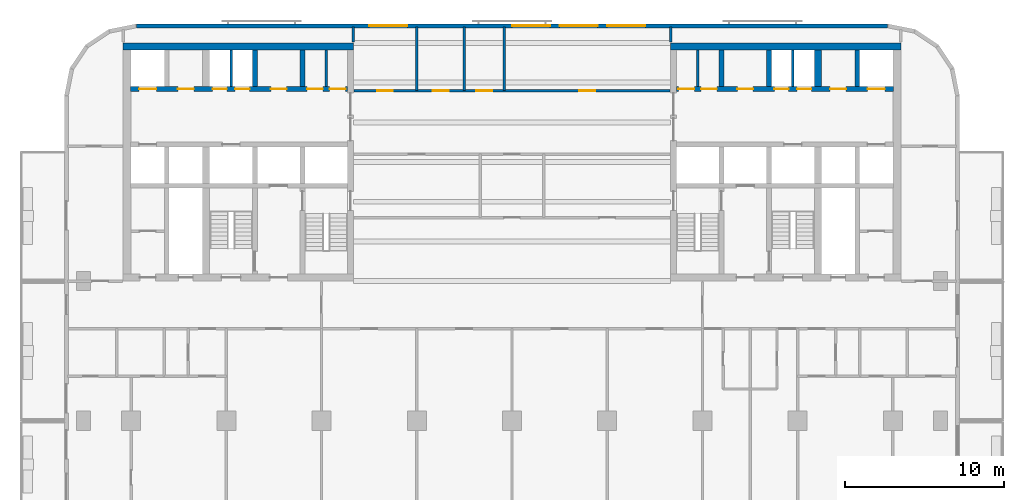
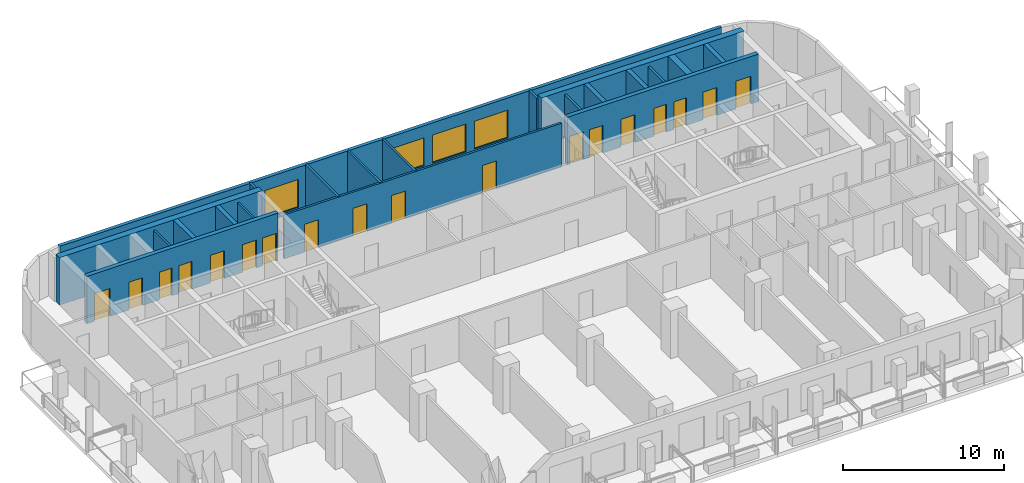
# One storey, part 7 of 12: 21 walls, 18 doors, 4 windows, 22 openings.
"""IFC4 building model written with IfcOpenShell, lengths in metres."""

import ifcopenshell
import ifcopenshell.guid

model = None  # the IFC model being written
_history = None  # IfcOwnerHistory: only IFC2X3 demands one
_inside = {}  # id of a spatial element -> (the spatial element, [elements in it])
_under = {}  # id of a project, library or spatial element -> (it, [spatial elements below it])
_declared = {}  # id of a project -> (the project, [libraries it declares])
_typed = {}  # id of a type object -> (the type object, [elements of that type])
_made_of = {}  # id of a material, layer set ... -> (it, [elements and type objects made of it])


def new_model(schema):
    """Start an empty IFC model of exactly this schema.

    Asked for "IFC4X3", IfcOpenShell would pick the latest addendum, in which some entities
    have other attributes; the version numbers below select the first issue.
    IFC2X3 requires an IfcOwnerHistory on every rooted entity: one is made here for all.
    """
    global model, _history
    if schema == "IFC4X3":
        model = ifcopenshell.file(schema_version=(4, 3, 0, 0))
    else:
        model = ifcopenshell.file(schema=schema)
    _inside.clear()
    _under.clear()
    _declared.clear()
    _typed.clear()
    _made_of.clear()
    _history = None
    if model.schema == "IFC2X3":
        org = make("IfcOrganization", Name="unknown")
        user = make(
            "IfcPersonAndOrganization",
            ThePerson=make("IfcPerson", FamilyName="unknown"),
            TheOrganization=org,
        )
        app = make(
            "IfcApplication",
            ApplicationDeveloper=org,
            Version="unknown",
            ApplicationFullName="unknown",
            ApplicationIdentifier="unknown",
        )
        _history = make(
            "IfcOwnerHistory",
            OwningUser=user,
            OwningApplication=app,
            ChangeAction="ADDED",
            CreationDate=0,
        )
    return model


def make(cls, **values):
    """One entity of the class cls with the attributes given. An attribute that is None is left unset."""
    return model.create_entity(
        cls, **{name: value for name, value in values.items() if value is not None}
    )


def rooted(cls, **values):
    """An entity with a GlobalId (a new one), such as an element, a storey or a relation."""
    return make(cls, GlobalId=ifcopenshell.guid.new(), OwnerHistory=_history, **values)


def si_unit(unit_type, name, prefix=None):
    """IfcSIUnit, for example si_unit("LENGTHUNIT", "METRE", prefix="MILLI")."""
    return make("IfcSIUnit", UnitType=unit_type, Prefix=prefix, Name=name)


def assignment(units):
    """IfcUnitAssignment: the units of a project."""
    return None if units is None else make("IfcUnitAssignment", Units=units)


def point(xyz):
    """IfcCartesianPoint."""
    return None if xyz is None else make("IfcCartesianPoint", Coordinates=xyz)


def direction(xyz):
    """IfcDirection."""
    return None if xyz is None else make("IfcDirection", DirectionRatios=xyz)


def frame(location, z_axis=None, x_axis=None):
    """IfcAxis2Placement3D, a coordinate frame: its origin and axes. An axis left out is left unset."""
    return make(
        "IfcAxis2Placement3D",
        Location=point(location),
        Axis=direction(z_axis),
        RefDirection=direction(x_axis),
    )


def frame_2d(location, x_axis=None):
    """IfcAxis2Placement2D, a coordinate frame in the plane: its origin and x axis."""
    return make(
        "IfcAxis2Placement2D", Location=point(location), RefDirection=direction(x_axis)
    )


def origin():
    """The frame at (0, 0, 0) with its axes left unset."""
    return frame((0.0, 0.0, 0.0))


def place(relative_to, where):
    """IfcLocalPlacement: puts the frame where relative to a parent placement (None: the world)."""
    return make(
        "IfcLocalPlacement", PlacementRelTo=relative_to, RelativePlacement=where
    )


def context(
    kind, dimensions, precision=None, world=None, true_north=None, identifier=None
):
    """IfcGeometricRepresentationContext, for example the 3D "Model" context."""
    return make(
        "IfcGeometricRepresentationContext",
        ContextIdentifier=identifier,
        ContextType=kind,
        CoordinateSpaceDimension=dimensions,
        Precision=precision,
        WorldCoordinateSystem=world,
        TrueNorth=true_north,
    )


def subcontext(parent, identifier, kind, view, scale=None):
    """IfcGeometricRepresentationSubContext, for example "Body" below "Model"."""
    return make(
        "IfcGeometricRepresentationSubContext",
        ContextIdentifier=identifier,
        ContextType=kind,
        ParentContext=parent,
        TargetScale=scale,
        TargetView=view,
    )


def project(units=None, contexts=None):
    """IfcProject with its units and contexts."""
    return rooted(
        "IfcProject",
        Name="project",
        RepresentationContexts=contexts,
        UnitsInContext=assignment(units),
    )


def spatial(cls, under=None, at=None, **own):
    """A site, building, storey or space (cls), placed at a placement, below another one or the project."""
    s = rooted(cls, ObjectPlacement=at, **own)
    if under is not None:
        _under.setdefault(under.id(), (under, []))[1].append(s)
    return s


def profile(cls, at=None, kind="AREA", **sizes):
    """A parametric profile (cls). Its sizes go by their IFC names, for example OverallWidth=200.0."""
    return make(cls, ProfileType=kind, Position=at, **sizes)


def rectangle(**sizes):
    """IfcRectangleProfileDef."""
    return profile("IfcRectangleProfileDef", **sizes)


def extrude(swept, where, along, depth):
    """IfcExtrudedAreaSolid: the profile swept, set in the frame where, extruded along a direction by depth."""
    return make(
        "IfcExtrudedAreaSolid",
        SweptArea=swept,
        Position=where,
        ExtrudedDirection=direction(along),
        Depth=depth,
    )


def shape(context_of_items, identifier, shape_type, items):
    """IfcShapeRepresentation: the items that make up one representation, for example the "Body"."""
    return make(
        "IfcShapeRepresentation",
        ContextOfItems=context_of_items,
        RepresentationIdentifier=identifier,
        RepresentationType=shape_type,
        Items=items,
    )


def material(Name=None, Category=None):
    """IfcMaterial."""
    return make("IfcMaterial", Name=Name, Category=Category)


def layer(
    of_material, thickness, ventilated=None, Name=None, Category=None, Priority=None
):
    """IfcMaterialLayer: one layer of a wall or slab, of a material (None: an air gap)."""
    return make(
        "IfcMaterialLayer",
        Material=of_material,
        LayerThickness=thickness,
        IsVentilated=ventilated,
        Name=Name,
        Category=Category,
        Priority=Priority,
    )


def layer_set(layers, Name=None):
    """IfcMaterialLayerSet."""
    return make("IfcMaterialLayerSet", MaterialLayers=layers, LayerSetName=Name)


def made_of(thing, what):
    """Note that an element or type object is made of a material, layer set ...; save() writes the relation."""
    if what is not None:
        _made_of.setdefault(what.id(), (what, []))[1].append(thing)
    return thing


def type_object(cls, material=None, **own):
    """A type object (cls), such as IfcWallType, which elements share."""
    return made_of(rooted(cls, **own), material)


def element(
    cls,
    number,
    at=None,
    inside=None,
    cuts=None,
    type_object=None,
    material=None,
    context=None,
    identifier="Body",
    shape_type=None,
    held_by="IfcProductDefinitionShape",
    body=None,
    shapes=None,
    **own,
):
    """One element of the class cls, such as IfcWall. Its Tag is "e" and its number.

    at: its placement. inside: the storey or other place that contains it. cuts: it is an
    opening in that element (IfcRelVoidsElement). A single representation is given by context,
    identifier, shape_type and body (its items); several are given by shapes. held_by: the class
    of the entity that holds the representations. save() writes the other relations.
    """
    e = rooted(cls, Tag="e%d" % number, ObjectPlacement=at, **own)
    if body is not None:
        shapes = [shape(context, identifier, shape_type, body)]
    if shapes is not None:
        e.Representation = make(held_by, Representations=shapes)
    if inside is not None:
        _inside.setdefault(inside.id(), (inside, []))[1].append(e)
    if cuts is not None:
        rooted(
            "IfcRelVoidsElement", RelatingBuildingElement=cuts, RelatedOpeningElement=e
        )
    if type_object is not None:
        _typed.setdefault(type_object.id(), (type_object, []))[1].append(e)
    return made_of(e, material)


def fill(opening, filler):
    """IfcRelFillsElement: the door or window that sits in an opening."""
    return rooted(
        "IfcRelFillsElement",
        RelatingOpeningElement=opening,
        RelatedBuildingElement=filler,
    )


def aggregate(whole, parts):
    """IfcRelAggregates: a whole, such as a stair, and the parts it consists of."""
    return rooted("IfcRelAggregates", RelatingObject=whole, RelatedObjects=parts)


def save(model, path):
    """Write the relations noted so far, then the file.

    IfcRelAggregates (storeys below a building ...), IfcRelContainedInSpatialStructure (elements
    in a storey), IfcRelDefinesByType, IfcRelAssociatesMaterial and IfcRelDeclares: one each for
    every whole, place, type object, material and project.
    """
    for whole, parts in _under.values():
        aggregate(whole, parts)
    for where, things in _inside.values():
        rooted(
            "IfcRelContainedInSpatialStructure",
            RelatedElements=things,
            RelatingStructure=where,
        )
    for kind, things in _typed.values():
        rooted("IfcRelDefinesByType", RelatedObjects=things, RelatingType=kind)
    for what, things in _made_of.values():
        rooted("IfcRelAssociatesMaterial", RelatedObjects=things, RelatingMaterial=what)
    for by, libraries in _declared.values():
        rooted("IfcRelDeclares", RelatingContext=by, RelatedDefinitions=libraries)
    model.write(path)


model = new_model("IFC4")

# Units and contexts
model_context = context("Model", 3, precision=1e-05, world=origin(), true_north=direction((0.0, 1.0)))
body_context = subcontext(model_context, "Body", "Model", "MODEL_VIEW")
ifc_project = project(units=[si_unit("LENGTHUNIT", "METRE"), si_unit("AREAUNIT", "SQUARE_METRE"), si_unit("VOLUMEUNIT", "CUBIC_METRE"), si_unit("PLANEANGLEUNIT", "RADIAN"), si_unit("MASSUNIT", "GRAM", prefix="KILO")], contexts=[model_context])

# Site, building, storey
site_placement = place(None, origin())
site = spatial("IfcSite", under=ifc_project, at=site_placement, CompositionType="ELEMENT")
building_placement = place(site_placement, origin())
building = spatial("IfcBuilding", under=site, at=building_placement, Name="Torana Hotel and Residences", CompositionType="ELEMENT")
storey_placement = place(building_placement, frame((0.0, 0.0, 156.0)))
storey = spatial("IfcBuildingStorey", under=building, at=storey_placement, Name="L40", CompositionType="ELEMENT", Elevation=156.0)

# Wall, openings, doors
ifc_material_1 = material(Name="Concrete C70/85", Category="concrete")
ifc_layer_1 = layer(ifc_material_1, 0.300048828125)
ifc_layer_set_1 = layer_set([ifc_layer_1], Name="CORE WALL 300 C70/85")
wall_type_1 = type_object("IfcWallType", Name="CORE WALL 300 C70/85", PredefinedType="SHEAR", material=ifc_layer_set_1)
wall_1_placement = place(storey_placement, frame((-24.050048828125, -2.89990234375, 0.0), z_axis=(0.0, 0.0, 1.0), x_axis=(1.0, 0.0, 0.0)))
wall_1 = element("IfcWall", 1, at=wall_1_placement, inside=storey, type_object=wall_type_1, Name="Core wall W row-N", PredefinedType="SHEAR", context=body_context, shape_type="SweptSolid", body=[
    extrude(rectangle(XDim=13.699951171875, YDim=0.300048828125, at=frame_2d((6.85009765625, 0.0))), origin(), (0.0, 0.0, 1.0), 3.60009765625),
])
opening_1_placement = place(wall_1_placement, frame((0.550048828125, 0.0, 0.0)))
opening_1 = element("IfcOpeningElement", 2, at=opening_1_placement, cuts=wall_1, Name="Opening LD", PredefinedType="OPENING", context=body_context, shape_type="SweptSolid", body=[
    extrude(rectangle(XDim=1.10009765625, YDim=2.10009765625, at=frame_2d((0.550048828125, 1.050048828125))), frame((0.0, 0.159912109375, 0.0), z_axis=(0.0, -1.0, 0.0), x_axis=(1.0, 0.0, 0.0)), (0.0, 0.0, 1.0), 0.320068359375),
])
opening_2_placement = place(wall_1_placement, frame((6.612548828125, 0.0, 0.0)))
opening_2 = element("IfcOpeningElement", 3, at=opening_2_placement, cuts=wall_1, Name="Opening L40-08", PredefinedType="OPENING", context=body_context, shape_type="SweptSolid", body=[
    extrude(rectangle(XDim=0.89990234375, YDim=2.10009765625, at=frame_2d((0.449951171875, 1.050048828125))), frame((0.0, 0.159912109375, 0.0), z_axis=(0.0, -1.0, 0.0), x_axis=(1.0, 0.0, 0.0)), (0.0, 0.0, 1.0), 0.320068359375),
])
opening_3_placement = place(wall_1_placement, frame((5.1875, 0.0, 0.0)))
opening_3 = element("IfcOpeningElement", 4, at=opening_3_placement, cuts=wall_1, Name="Opening L40-09", PredefinedType="OPENING", context=body_context, shape_type="SweptSolid", body=[
    extrude(rectangle(XDim=0.89990234375, YDim=2.10009765625, at=frame_2d((0.449951171875, 1.050048828125))), frame((0.0, 0.159912109375, 0.0), z_axis=(0.0, -1.0, 0.0), x_axis=(1.0, 0.0, 0.0)), (0.0, 0.0, 1.0), 0.320068359375),
])
opening_4_placement = place(wall_1_placement, frame((12.5625, 0.0, 0.0)))
opening_4 = element("IfcOpeningElement", 5, at=opening_4_placement, cuts=wall_1, Name="Opening L40-10", PredefinedType="OPENING", context=body_context, shape_type="SweptSolid", body=[
    extrude(rectangle(XDim=1.0, YDim=2.10009765625, at=frame_2d((0.5, 1.050048828125))), frame((0.0, 0.159912109375, 0.0), z_axis=(0.0, -1.0, 0.0), x_axis=(1.0, 0.0, 0.0)), (0.0, 0.0, 1.0), 0.320068359375),
])
opening_5_placement = place(wall_1_placement, frame((11.137451171875, 0.0, 0.0)))
opening_5 = element("IfcOpeningElement", 6, at=opening_5_placement, cuts=wall_1, Name="Opening L40-11", PredefinedType="OPENING", context=body_context, shape_type="SweptSolid", body=[
    extrude(rectangle(XDim=1.0, YDim=2.10009765625, at=frame_2d((0.5, 1.050048828125))), frame((0.0, 0.159912109375, 0.0), z_axis=(0.0, -1.0, 0.0), x_axis=(1.0, 0.0, 0.0)), (0.0, 0.0, 1.0), 0.320068359375),
])
opening_6_placement = place(wall_1_placement, frame((8.85009765625, 0.0, 0.0)))
opening_6 = element("IfcOpeningElement", 7, at=opening_6_placement, cuts=wall_1, Name="Opening L40-12", PredefinedType="OPENING", context=body_context, shape_type="SweptSolid", body=[
    extrude(rectangle(XDim=1.0, YDim=2.10009765625, at=frame_2d((0.5, 1.050048828125))), frame((0.0, 0.159912109375, 0.0), z_axis=(0.0, -1.0, 0.0), x_axis=(1.0, 0.0, 0.0)), (0.0, 0.0, 1.0), 0.320068359375),
])
opening_7_placement = place(wall_1_placement, frame((3.0, 0.0, 0.0)))
opening_7 = element("IfcOpeningElement", 8, at=opening_7_placement, cuts=wall_1, Name="Opening L40-13", PredefinedType="OPENING", context=body_context, shape_type="SweptSolid", body=[
    extrude(rectangle(XDim=1.0, YDim=2.10009765625, at=frame_2d((0.5, 1.050048828125))), frame((0.0, 0.159912109375, 0.0), z_axis=(0.0, -1.0, 0.0), x_axis=(1.0, 0.0, 0.0)), (0.0, 0.0, 1.0), 0.320068359375),
])
ifc_material_2 = material(Name="Steel S235", Category="steel")
door_type_1 = type_object("IfcDoorType", Name="CORE ROOM FIRE DOOR D14 1000x2100", OperationType="SINGLE_SWING_LEFT", PredefinedType="DOOR", material=ifc_material_2)
door_1_placement = place(opening_4_placement, origin())
door_1 = element("IfcDoor", 9, at=door_1_placement, inside=storey, type_object=door_type_1, Name="N0A door L40", OperationType="SINGLE_SWING_RIGHT", OverallHeight=2.10009765625, OverallWidth=1.0, PredefinedType="DOOR", context=body_context, shape_type="SweptSolid", body=[
    extrude(rectangle(XDim=1.0, YDim=2.10009765625, at=frame_2d((0.5, 1.050048828125))), frame((0.0, 0.02490234375, 0.0), z_axis=(0.0, -1.0, 0.0), x_axis=(1.0, 0.0, 0.0)), (0.0, 0.0, 1.0), 0.050048828125),
])
fill(opening_4, door_1)
door_2_placement = place(opening_5_placement, origin())
door_2 = element("IfcDoor", 10, at=door_2_placement, inside=storey, type_object=door_type_1, Name="N0B door L40", OperationType="SINGLE_SWING_RIGHT", OverallHeight=2.10009765625, OverallWidth=1.0, PredefinedType="DOOR", context=body_context, shape_type="SweptSolid", body=[
    extrude(rectangle(XDim=1.0, YDim=2.10009765625, at=frame_2d((0.5, 1.050048828125))), frame((0.0, 0.02490234375, 0.0), z_axis=(0.0, -1.0, 0.0), x_axis=(1.0, 0.0, 0.0)), (0.0, 0.0, 1.0), 0.050048828125),
])
fill(opening_5, door_2)
door_3_placement = place(opening_6_placement, origin())
door_3 = element("IfcDoor", 11, at=door_3_placement, inside=storey, type_object=door_type_1, Name="N1 door L40", OperationType="SINGLE_SWING_RIGHT", OverallHeight=2.10009765625, OverallWidth=1.0, PredefinedType="DOOR", context=body_context, shape_type="SweptSolid", body=[
    extrude(rectangle(XDim=1.0, YDim=2.10009765625, at=frame_2d((0.5, 1.050048828125))), frame((0.0, 0.02490234375, 0.0), z_axis=(0.0, -1.0, 0.0), x_axis=(1.0, 0.0, 0.0)), (0.0, 0.0, 1.0), 0.050048828125),
])
fill(opening_6, door_3)
door_4_placement = place(opening_7_placement, origin())
door_4 = element("IfcDoor", 12, at=door_4_placement, inside=storey, type_object=door_type_1, Name="Freed-S1 door L40", OperationType="SINGLE_SWING_RIGHT", OverallHeight=2.10009765625, OverallWidth=1.0, PredefinedType="DOOR", context=body_context, shape_type="SweptSolid", body=[
    extrude(rectangle(XDim=1.0, YDim=2.10009765625, at=frame_2d((0.5, 1.050048828125))), frame((0.0, 0.02490234375, 0.0), z_axis=(0.0, -1.0, 0.0), x_axis=(1.0, 0.0, 0.0)), (0.0, 0.0, 1.0), 0.050048828125),
])
fill(opening_7, door_4)
ifc_material_3 = material(Name="Stainless steel 316", Category="steel")
door_type_2 = type_object("IfcDoorType", Name="LIFT LANDING DOOR LD 1100x2100", OperationType="DOUBLE_DOOR_SLIDING", PredefinedType="USERDEFINED", material=ifc_material_3)
door_5_placement = place(opening_1_placement, origin())
door_5 = element("IfcDoor", 13, at=door_5_placement, inside=storey, type_object=door_type_2, Name="Lift landing door M1 L40", ObjectType="LIFT LANDING DOOR", OperationType="DOUBLE_DOOR_SLIDING", OverallHeight=2.10009765625, OverallWidth=1.10009765625, PredefinedType="USERDEFINED", context=body_context, shape_type="SweptSolid", body=[
    extrude(rectangle(XDim=1.10009765625, YDim=2.10009765625, at=frame_2d((0.550048828125, 1.050048828125))), frame((0.0, 0.02490234375, 0.0), z_axis=(0.0, -1.0, 0.0), x_axis=(1.0, 0.0, 0.0)), (0.0, 0.0, 1.0), 0.050048828125),
])
fill(opening_1, door_5)
ifc_material_4 = material(Name="Steel S235", Category="steel")
door_type_3 = type_object("IfcDoorType", Name="RISER ACCESS DOOR D5 900x2100", OperationType="SINGLE_SWING_LEFT", PredefinedType="DOOR", material=ifc_material_4)
door_6_placement = place(opening_2_placement, origin())
door_6 = element("IfcDoor", 14, at=door_6_placement, inside=storey, type_object=door_type_3, Name="N2A door L40", OperationType="SINGLE_SWING_RIGHT", OverallHeight=2.10009765625, OverallWidth=0.89990234375, PredefinedType="DOOR", context=body_context, shape_type="SweptSolid", body=[
    extrude(rectangle(XDim=0.89990234375, YDim=2.10009765625, at=frame_2d((0.449951171875, 1.050048828125))), frame((0.0, 0.02490234375, 0.0), z_axis=(0.0, -1.0, 0.0), x_axis=(1.0, 0.0, 0.0)), (0.0, 0.0, 1.0), 0.050048828125),
])
fill(opening_2, door_6)
door_7_placement = place(opening_3_placement, origin())
door_7 = element("IfcDoor", 15, at=door_7_placement, inside=storey, type_object=door_type_3, Name="N2B door L40", OperationType="SINGLE_SWING_RIGHT", OverallHeight=2.10009765625, OverallWidth=0.89990234375, PredefinedType="DOOR", context=body_context, shape_type="SweptSolid", body=[
    extrude(rectangle(XDim=0.89990234375, YDim=2.10009765625, at=frame_2d((0.449951171875, 1.050048828125))), frame((0.0, 0.02490234375, 0.0), z_axis=(0.0, -1.0, 0.0), x_axis=(1.0, 0.0, 0.0)), (0.0, 0.0, 1.0), 0.050048828125),
])
fill(opening_3, door_7)

# Walls
for number, where, z_axis, x_axis, name in (
    (16, (-13.199951171875, -2.75, 0.0), (0.0, 0.0, 1.0), (0.0, 1.0, 0.0), "Core wall W x3.05-N"),
    (17, (-16.199951171875, -2.75, 0.0), (0.0, 0.0, 1.0), (0.0, 1.0, 0.0), "Core wall W x6.05-N"),
):
    element("IfcWall", number, at=place(storey_placement, frame(where, z_axis=z_axis, x_axis=x_axis)), inside=storey, type_object=wall_type_1, Name=name, PredefinedType="SHEAR", context=body_context, shape_type="SweptSolid", body=[
        extrude(rectangle(XDim=2.300048828125, YDim=0.300048828125, at=frame_2d((1.14990234375, 0.0))), origin(), (0.0, 0.0, 1.0), 3.60009765625),
    ])

# Wall, openings, doors
wall_2_placement = place(storey_placement, frame((10.35009765625, -2.89990234375, 0.0), z_axis=(0.0, 0.0, 1.0), x_axis=(1.0, 0.0, 0.0)))
wall_2 = element("IfcWall", 18, at=wall_2_placement, inside=storey, type_object=wall_type_1, Name="Core wall E row-N", PredefinedType="SHEAR", context=body_context, shape_type="SweptSolid", body=[
    extrude(rectangle(XDim=13.699951171875, YDim=0.300048828125, at=frame_2d((6.85009765625, 0.0))), origin(), (0.0, 0.0, 1.0), 3.60009765625),
])
opening_8_placement = place(wall_2_placement, frame((12.050048828125, 0.0, 0.0)))
opening_8 = element("IfcOpeningElement", 19, at=opening_8_placement, cuts=wall_2, Name="Opening LD", PredefinedType="OPENING", context=body_context, shape_type="SweptSolid", body=[
    extrude(rectangle(XDim=1.10009765625, YDim=2.10009765625, at=frame_2d((0.550048828125, 1.050048828125))), frame((0.0, 0.159912109375, 0.0), z_axis=(0.0, -1.0, 0.0), x_axis=(1.0, 0.0, 0.0)), (0.0, 0.0, 1.0), 0.320068359375),
])
opening_9_placement = place(wall_2_placement, frame((6.1875, 0.0, 0.0)))
opening_9 = element("IfcOpeningElement", 20, at=opening_9_placement, cuts=wall_2, Name="Opening L40-23", PredefinedType="OPENING", context=body_context, shape_type="SweptSolid", body=[
    extrude(rectangle(XDim=0.89990234375, YDim=2.10009765625, at=frame_2d((0.449951171875, 1.050048828125))), frame((0.0, 0.159912109375, 0.0), z_axis=(0.0, -1.0, 0.0), x_axis=(1.0, 0.0, 0.0)), (0.0, 0.0, 1.0), 0.320068359375),
])
opening_10_placement = place(wall_2_placement, frame((7.612548828125, 0.0, 0.0)))
opening_10 = element("IfcOpeningElement", 21, at=opening_10_placement, cuts=wall_2, Name="Opening L40-24", PredefinedType="OPENING", context=body_context, shape_type="SweptSolid", body=[
    extrude(rectangle(XDim=0.89990234375, YDim=2.10009765625, at=frame_2d((0.449951171875, 1.050048828125))), frame((0.0, 0.159912109375, 0.0), z_axis=(0.0, -1.0, 0.0), x_axis=(1.0, 0.0, 0.0)), (0.0, 0.0, 1.0), 0.320068359375),
])
opening_11_placement = place(wall_2_placement, frame((0.137451171875, 0.0, 0.0)))
opening_11 = element("IfcOpeningElement", 22, at=opening_11_placement, cuts=wall_2, Name="Opening L40-25", PredefinedType="OPENING", context=body_context, shape_type="SweptSolid", body=[
    extrude(rectangle(XDim=1.0, YDim=2.10009765625, at=frame_2d((0.5, 1.050048828125))), frame((0.0, 0.159912109375, 0.0), z_axis=(0.0, -1.0, 0.0), x_axis=(1.0, 0.0, 0.0)), (0.0, 0.0, 1.0), 0.320068359375),
])
opening_12_placement = place(wall_2_placement, frame((1.5625, 0.0, 0.0)))
opening_12 = element("IfcOpeningElement", 23, at=opening_12_placement, cuts=wall_2, Name="Opening L40-26", PredefinedType="OPENING", context=body_context, shape_type="SweptSolid", body=[
    extrude(rectangle(XDim=1.0, YDim=2.10009765625, at=frame_2d((0.5, 1.050048828125))), frame((0.0, 0.159912109375, 0.0), z_axis=(0.0, -1.0, 0.0), x_axis=(1.0, 0.0, 0.0)), (0.0, 0.0, 1.0), 0.320068359375),
])
opening_13_placement = place(wall_2_placement, frame((3.85009765625, 0.0, 0.0)))
opening_13 = element("IfcOpeningElement", 24, at=opening_13_placement, cuts=wall_2, Name="Opening L40-27", PredefinedType="OPENING", context=body_context, shape_type="SweptSolid", body=[
    extrude(rectangle(XDim=1.0, YDim=2.10009765625, at=frame_2d((0.5, 1.050048828125))), frame((0.0, 0.159912109375, 0.0), z_axis=(0.0, -1.0, 0.0), x_axis=(1.0, 0.0, 0.0)), (0.0, 0.0, 1.0), 0.320068359375),
])
opening_14_placement = place(wall_2_placement, frame((9.699951171875, 0.0, 0.0)))
opening_14 = element("IfcOpeningElement", 25, at=opening_14_placement, cuts=wall_2, Name="Opening L40-28", PredefinedType="OPENING", context=body_context, shape_type="SweptSolid", body=[
    extrude(rectangle(XDim=1.0, YDim=2.10009765625, at=frame_2d((0.5, 1.050048828125))), frame((0.0, 0.159912109375, 0.0), z_axis=(0.0, -1.0, 0.0), x_axis=(1.0, 0.0, 0.0)), (0.0, 0.0, 1.0), 0.320068359375),
])
door_8_placement = place(opening_11_placement, origin())
door_8 = element("IfcDoor", 26, at=door_8_placement, inside=storey, type_object=door_type_1, Name="N0A door L40", OperationType="SINGLE_SWING_RIGHT", OverallHeight=2.10009765625, OverallWidth=1.0, PredefinedType="DOOR", context=body_context, shape_type="SweptSolid", body=[
    extrude(rectangle(XDim=1.0, YDim=2.10009765625, at=frame_2d((0.5, 1.050048828125))), frame((0.0, 0.02490234375, 0.0), z_axis=(0.0, -1.0, 0.0), x_axis=(1.0, 0.0, 0.0)), (0.0, 0.0, 1.0), 0.050048828125),
])
fill(opening_11, door_8)
door_9_placement = place(opening_12_placement, origin())
door_9 = element("IfcDoor", 27, at=door_9_placement, inside=storey, type_object=door_type_1, Name="N0B door L40", OperationType="SINGLE_SWING_RIGHT", OverallHeight=2.10009765625, OverallWidth=1.0, PredefinedType="DOOR", context=body_context, shape_type="SweptSolid", body=[
    extrude(rectangle(XDim=1.0, YDim=2.10009765625, at=frame_2d((0.5, 1.050048828125))), frame((0.0, 0.02490234375, 0.0), z_axis=(0.0, -1.0, 0.0), x_axis=(1.0, 0.0, 0.0)), (0.0, 0.0, 1.0), 0.050048828125),
])
fill(opening_12, door_9)
door_10_placement = place(opening_13_placement, origin())
door_10 = element("IfcDoor", 28, at=door_10_placement, inside=storey, type_object=door_type_1, Name="N1 door L40", OperationType="SINGLE_SWING_RIGHT", OverallHeight=2.10009765625, OverallWidth=1.0, PredefinedType="DOOR", context=body_context, shape_type="SweptSolid", body=[
    extrude(rectangle(XDim=1.0, YDim=2.10009765625, at=frame_2d((0.5, 1.050048828125))), frame((0.0, 0.02490234375, 0.0), z_axis=(0.0, -1.0, 0.0), x_axis=(1.0, 0.0, 0.0)), (0.0, 0.0, 1.0), 0.050048828125),
])
fill(opening_13, door_10)
door_11_placement = place(opening_14_placement, origin())
door_11 = element("IfcDoor", 29, at=door_11_placement, inside=storey, type_object=door_type_1, Name="Freed-S2 door L40", OperationType="SINGLE_SWING_RIGHT", OverallHeight=2.10009765625, OverallWidth=1.0, PredefinedType="DOOR", context=body_context, shape_type="SweptSolid", body=[
    extrude(rectangle(XDim=1.0, YDim=2.10009765625, at=frame_2d((0.5, 1.050048828125))), frame((0.0, 0.02490234375, 0.0), z_axis=(0.0, -1.0, 0.0), x_axis=(1.0, 0.0, 0.0)), (0.0, 0.0, 1.0), 0.050048828125),
])
fill(opening_14, door_11)
door_12_placement = place(opening_8_placement, origin())
door_12 = element("IfcDoor", 30, at=door_12_placement, inside=storey, type_object=door_type_2, Name="Lift landing door M3 L40", ObjectType="LIFT LANDING DOOR", OperationType="DOUBLE_DOOR_SLIDING", OverallHeight=2.10009765625, OverallWidth=1.10009765625, PredefinedType="USERDEFINED", context=body_context, shape_type="SweptSolid", body=[
    extrude(rectangle(XDim=1.10009765625, YDim=2.10009765625, at=frame_2d((0.550048828125, 1.050048828125))), frame((0.0, 0.02490234375, 0.0), z_axis=(0.0, -1.0, 0.0), x_axis=(1.0, 0.0, 0.0)), (0.0, 0.0, 1.0), 0.050048828125),
])
fill(opening_8, door_12)
door_13_placement = place(opening_9_placement, origin())
door_13 = element("IfcDoor", 31, at=door_13_placement, inside=storey, type_object=door_type_3, Name="N2A door L40", OperationType="SINGLE_SWING_RIGHT", OverallHeight=2.10009765625, OverallWidth=0.89990234375, PredefinedType="DOOR", context=body_context, shape_type="SweptSolid", body=[
    extrude(rectangle(XDim=0.89990234375, YDim=2.10009765625, at=frame_2d((0.449951171875, 1.050048828125))), frame((0.0, 0.02490234375, 0.0), z_axis=(0.0, -1.0, 0.0), x_axis=(1.0, 0.0, 0.0)), (0.0, 0.0, 1.0), 0.050048828125),
])
fill(opening_9, door_13)
door_14_placement = place(opening_10_placement, origin())
door_14 = element("IfcDoor", 32, at=door_14_placement, inside=storey, type_object=door_type_3, Name="N2B door L40", OperationType="SINGLE_SWING_RIGHT", OverallHeight=2.10009765625, OverallWidth=0.89990234375, PredefinedType="DOOR", context=body_context, shape_type="SweptSolid", body=[
    extrude(rectangle(XDim=0.89990234375, YDim=2.10009765625, at=frame_2d((0.449951171875, 1.050048828125))), frame((0.0, 0.02490234375, 0.0), z_axis=(0.0, -1.0, 0.0), x_axis=(1.0, 0.0, 0.0)), (0.0, 0.0, 1.0), 0.050048828125),
])
fill(opening_10, door_14)

# Walls
for number, where, z_axis, x_axis, name in (
    (33, (13.199951171875, -2.75, 0.0), (0.0, 0.0, 1.0), (0.0, 1.0, 0.0), "Core wall E x3.05-N"),
    (34, (16.199951171875, -2.75, 0.0), (0.0, 0.0, 1.0), (0.0, 1.0, 0.0), "Core wall E x6.05-N"),
    (35, (21.75, -2.75, 0.0), (0.0, 0.0, 1.0), (0.0, 1.0, 0.0), "Core wall E mm-N"),
):
    element("IfcWall", number, at=place(storey_placement, frame(where, z_axis=z_axis, x_axis=x_axis)), inside=storey, type_object=wall_type_1, Name=name, PredefinedType="SHEAR", context=body_context, shape_type="SweptSolid", body=[
        extrude(rectangle(XDim=2.300048828125, YDim=0.300048828125, at=frame_2d((1.14990234375, 0.0))), origin(), (0.0, 0.0, 1.0), 3.60009765625),
    ])
ifc_material_5 = material(Name="Concrete C70/85", Category="concrete")
ifc_layer_2 = layer(ifc_material_5, 0.449951171875)
ifc_layer_set_2 = layer_set([ifc_layer_2], Name="CORE WALL 450 C70/85")
wall_type_2 = type_object("IfcWallType", Name="CORE WALL 450 C70/85", PredefinedType="SHEAR", material=ifc_layer_set_2)
for number, where, z_axis, x_axis, name in (
    (36, (-24.5, -0.22509765625, 0.0), (0.0, 0.0, 1.0), (1.0, 0.0, 0.0), "Core wall W rear"),
    (37, (10.0, -0.22509765625, 0.0), (0.0, 0.0, 1.0), (1.0, 0.0, 0.0), "Core wall E rear"),
):
    element("IfcWall", number, at=place(storey_placement, frame(where, z_axis=z_axis, x_axis=x_axis)), inside=storey, type_object=wall_type_2, Name=name, PredefinedType="SHEAR", context=body_context, shape_type="SweptSolid", body=[
        extrude(rectangle(XDim=14.5, YDim=0.449951171875, at=frame_2d((7.25, 0.0))), origin(), (0.0, 0.0, 1.0), 3.60009765625),
    ])
wall_3_placement = place(storey_placement, frame((19.27490234375, -2.75, 0.0), z_axis=(0.0, 0.0, 1.0), x_axis=(0.0, 1.0, 0.0)))
element("IfcWall", 38, at=wall_3_placement, inside=storey, type_object=wall_type_2, Name="Core wall E hm-N", PredefinedType="SHEAR", context=body_context, shape_type="SweptSolid", body=[
    extrude(rectangle(XDim=2.300048828125, YDim=0.449951171875, at=frame_2d((1.14990234375, 0.0))), origin(), (0.0, 0.0, 1.0), 3.60009765625),
])

# Wall, openings, windows
ifc_material_6 = material(Name="Concrete C40/50 precast", Category="concrete")
ifc_layer_3 = layer(ifc_material_6, 0.10009765625, Name="Perforated block", Category="cladding")
ifc_material_7 = material(Name="Air cavity")
ifc_layer_4 = layer(ifc_material_7, 0.030029296875, Name="Cavity", Category="cavity")
ifc_material_8 = material(Name="Concrete C40/50", Category="concrete")
ifc_layer_5 = layer(ifc_material_8, 0.10009765625, Name="Wall", Category="structure")
ifc_material_9 = material(Name="Plaster and paint")
ifc_layer_6 = layer(ifc_material_9, 0.02001953125, Name="Inner finish", Category="finish")
ifc_layer_set_3 = layer_set([ifc_layer_3, ifc_layer_4, ifc_layer_5, ifc_layer_6], Name="EW2 PERFORATED BLOCK SCREEN WALL 250")
wall_type_3 = type_object("IfcWallType", Name="EW2 PERFORATED BLOCK SCREEN WALL 250", PredefinedType="SOLIDWALL", material=ifc_layer_set_3)
wall_4_placement = place(storey_placement, frame((23.67529296875, 1.074951171875, 0.0), z_axis=(0.0, 0.0, 1.0), x_axis=(-1.0, 0.0, 0.0)))
wall_4 = element("IfcWall", 39, at=wall_4_placement, inside=storey, type_object=wall_type_3, Name="External wall L40 e0.4", PredefinedType="SOLIDWALL", context=body_context, shape_type="SweptSolid", body=[
    extrude(rectangle(XDim=47.3505859375, YDim=0.25, at=frame_2d((23.67529296875, 0.0))), origin(), (0.0, 0.0, 1.0), 3.320068359375),
])
opening_15_placement = place(wall_4_placement, frame((15.275390625, 0.0, 0.300048828125)))
opening_15 = element("IfcOpeningElement", 40, at=opening_15_placement, cuts=wall_4, Name="Opening W1", PredefinedType="OPENING", context=body_context, shape_type="SweptSolid", body=[
    extrude(rectangle(XDim=2.39990234375, YDim=2.10009765625, at=frame_2d((1.199951171875, 1.050048828125))), frame((0.0, 0.135009765625, 0.0), z_axis=(0.0, -1.0, 0.0), x_axis=(1.0, 0.0, 0.0)), (0.0, 0.0, 1.0), 0.27001953125),
])
opening_16_placement = place(wall_4_placement, frame((18.275390625, 0.0, 0.300048828125)))
opening_16 = element("IfcOpeningElement", 41, at=opening_16_placement, cuts=wall_4, Name="Opening W1", PredefinedType="OPENING", context=body_context, shape_type="SweptSolid", body=[
    extrude(rectangle(XDim=2.39990234375, YDim=2.10009765625, at=frame_2d((1.199951171875, 1.050048828125))), frame((0.0, 0.135009765625, 0.0), z_axis=(0.0, -1.0, 0.0), x_axis=(1.0, 0.0, 0.0)), (0.0, 0.0, 1.0), 0.27001953125),
])
opening_17_placement = place(wall_4_placement, frame((21.275390625, 0.0, 0.300048828125)))
opening_17 = element("IfcOpeningElement", 42, at=opening_17_placement, cuts=wall_4, Name="Opening W1", PredefinedType="OPENING", context=body_context, shape_type="SweptSolid", body=[
    extrude(rectangle(XDim=2.39990234375, YDim=2.10009765625, at=frame_2d((1.199951171875, 1.050048828125))), frame((0.0, 0.135009765625, 0.0), z_axis=(0.0, -1.0, 0.0), x_axis=(1.0, 0.0, 0.0)), (0.0, 0.0, 1.0), 0.27001953125),
])
opening_18_placement = place(wall_4_placement, frame((30.275390625, 0.0, 0.300048828125)))
opening_18 = element("IfcOpeningElement", 43, at=opening_18_placement, cuts=wall_4, Name="Opening W1", PredefinedType="OPENING", context=body_context, shape_type="SweptSolid", body=[
    extrude(rectangle(XDim=2.39990234375, YDim=2.10009765625, at=frame_2d((1.199951171875, 1.050048828125))), frame((0.0, 0.135009765625, 0.0), z_axis=(0.0, -1.0, 0.0), x_axis=(1.0, 0.0, 0.0)), (0.0, 0.0, 1.0), 0.27001953125),
])
ifc_material_10 = material(Name="Dark glass in black aluminium frame", Category="aluminium")
window_type = type_object("IfcWindowType", Name="W1 HOTEL ROOM WINDOW 2400x2100", PartitioningType="SINGLE_PANEL", PredefinedType="WINDOW", material=ifc_material_10)
window_1_placement = place(opening_15_placement, origin())
window_1 = element("IfcWindow", 44, at=window_1_placement, inside=storey, type_object=window_type, Name="Window L40", OverallHeight=2.10009765625, OverallWidth=2.39990234375, PartitioningType="SINGLE_PANEL", PredefinedType="WINDOW", context=body_context, shape_type="SweptSolid", body=[
    extrude(rectangle(XDim=2.39990234375, YDim=2.10009765625, at=frame_2d((1.199951171875, 1.050048828125))), frame((0.0, 0.030029296875, 0.0), z_axis=(0.0, -1.0, 0.0), x_axis=(1.0, 0.0, 0.0)), (0.0, 0.0, 1.0), 0.06005859375),
])
fill(opening_15, window_1)
window_2_placement = place(opening_16_placement, origin())
window_2 = element("IfcWindow", 45, at=window_2_placement, inside=storey, type_object=window_type, Name="Window L40", OverallHeight=2.10009765625, OverallWidth=2.39990234375, PartitioningType="SINGLE_PANEL", PredefinedType="WINDOW", context=body_context, shape_type="SweptSolid", body=[
    extrude(rectangle(XDim=2.39990234375, YDim=2.10009765625, at=frame_2d((1.199951171875, 1.050048828125))), frame((0.0, 0.030029296875, 0.0), z_axis=(0.0, -1.0, 0.0), x_axis=(1.0, 0.0, 0.0)), (0.0, 0.0, 1.0), 0.06005859375),
])
fill(opening_16, window_2)
window_3_placement = place(opening_17_placement, origin())
window_3 = element("IfcWindow", 46, at=window_3_placement, inside=storey, type_object=window_type, Name="Window L40", OverallHeight=2.10009765625, OverallWidth=2.39990234375, PartitioningType="SINGLE_PANEL", PredefinedType="WINDOW", context=body_context, shape_type="SweptSolid", body=[
    extrude(rectangle(XDim=2.39990234375, YDim=2.10009765625, at=frame_2d((1.199951171875, 1.050048828125))), frame((0.0, 0.030029296875, 0.0), z_axis=(0.0, -1.0, 0.0), x_axis=(1.0, 0.0, 0.0)), (0.0, 0.0, 1.0), 0.06005859375),
])
fill(opening_17, window_3)
window_4_placement = place(opening_18_placement, origin())
window_4 = element("IfcWindow", 47, at=window_4_placement, inside=storey, type_object=window_type, Name="Window L40", OverallHeight=2.10009765625, OverallWidth=2.39990234375, PartitioningType="SINGLE_PANEL", PredefinedType="WINDOW", context=body_context, shape_type="SweptSolid", body=[
    extrude(rectangle(XDim=2.39990234375, YDim=2.10009765625, at=frame_2d((1.199951171875, 1.050048828125))), frame((0.0, 0.030029296875, 0.0), z_axis=(0.0, -1.0, 0.0), x_axis=(1.0, 0.0, 0.0)), (0.0, 0.0, 1.0), 0.06005859375),
])
fill(opening_18, window_4)

# Walls
ifc_material_11 = material(Name="Gypsum plaster")
ifc_layer_7 = layer(ifc_material_11, 0.014892578125, Name="Plaster", Category="finish")
ifc_material_12 = material(Name="Concrete blockwork", Category="masonry")
ifc_layer_8 = layer(ifc_material_12, 0.1201171875, Name="Blockwork", Category="structure")
ifc_layer_9 = layer(ifc_material_11, 0.014892578125, Name="Plaster", Category="finish")
ifc_layer_set_4 = layer_set([ifc_layer_7, ifc_layer_8, ifc_layer_9], Name="FIRE PARTITION 150 BLOCKWORK")
wall_type_4 = type_object("IfcWallType", Name="FIRE PARTITION 150 BLOCKWORK", PredefinedType="PARTITIONING", material=ifc_layer_set_4)
for number, where, z_axis, x_axis, name in (
    (48, (-17.699951171875, -2.75, 0.0), (0.0, 0.0, 1.0), (0.0, 1.0, 0.0), "Core partition L40"),
    (49, (-11.699951171875, -2.75, 0.0), (0.0, 0.0, 1.0), (0.0, 1.0, 0.0), "Core partition L40"),
    (50, (17.699951171875, -2.75, 0.0), (0.0, 0.0, 1.0), (0.0, 1.0, 0.0), "Core partition L40"),
    (51, (11.699951171875, -2.75, 0.0), (0.0, 0.0, 1.0), (0.0, 1.0, 0.0), "Core partition L40"),
):
    element("IfcWall", number, at=place(storey_placement, frame(where, z_axis=z_axis, x_axis=x_axis)), inside=storey, type_object=wall_type_4, Name=name, PredefinedType="PARTITIONING", context=body_context, shape_type="SweptSolid", body=[
        extrude(rectangle(XDim=2.300048828125, YDim=0.14990234375, at=frame_2d((1.14990234375, 0.0))), origin(), (0.0, 0.0, 1.0), 3.300048828125),
    ])

# Wall, openings, doors
wall_5_placement = place(storey_placement, frame((-9.949951171875, -3.0, 0.0), z_axis=(0.0, 0.0, 1.0), x_axis=(1.0, 0.0, 0.0)))
wall_5 = element("IfcWall", 52, at=wall_5_placement, inside=storey, type_object=wall_type_4, Name="Partition L40", PredefinedType="PARTITIONING", context=body_context, shape_type="SweptSolid", body=[
    extrude(rectangle(XDim=19.89990234375, YDim=0.14990234375, at=frame_2d((9.949951171875, 0.0))), origin(), (0.0, 0.0, 1.0), 3.320068359375),
])
opening_19_placement = place(wall_5_placement, frame((1.449951171875, 0.0, 0.0)))
opening_19 = element("IfcOpeningElement", 53, at=opening_19_placement, cuts=wall_5, Name="Opening L40-50", PredefinedType="OPENING", context=body_context, shape_type="SweptSolid", body=[
    extrude(rectangle(XDim=1.0, YDim=2.10009765625, at=frame_2d((0.5, 1.050048828125))), frame((0.0, 0.0849609375, 0.0), z_axis=(0.0, -1.0, 0.0), x_axis=(1.0, 0.0, 0.0)), (0.0, 0.0, 1.0), 0.169921875),
])
opening_20_placement = place(wall_5_placement, frame((4.949951171875, 0.0, 0.0)))
opening_20 = element("IfcOpeningElement", 54, at=opening_20_placement, cuts=wall_5, Name="Opening L40-51", PredefinedType="OPENING", context=body_context, shape_type="SweptSolid", body=[
    extrude(rectangle(XDim=1.0, YDim=2.10009765625, at=frame_2d((0.5, 1.050048828125))), frame((0.0, 0.0849609375, 0.0), z_axis=(0.0, -1.0, 0.0), x_axis=(1.0, 0.0, 0.0)), (0.0, 0.0, 1.0), 0.169921875),
])
opening_21_placement = place(wall_5_placement, frame((7.699951171875, 0.0, 0.0)))
opening_21 = element("IfcOpeningElement", 55, at=opening_21_placement, cuts=wall_5, Name="Opening L40-52", PredefinedType="OPENING", context=body_context, shape_type="SweptSolid", body=[
    extrude(rectangle(XDim=1.0, YDim=2.10009765625, at=frame_2d((0.5, 1.050048828125))), frame((0.0, 0.0849609375, 0.0), z_axis=(0.0, -1.0, 0.0), x_axis=(1.0, 0.0, 0.0)), (0.0, 0.0, 1.0), 0.169921875),
])
opening_22_placement = place(wall_5_placement, frame((14.199951171875, 0.0, 0.0)))
opening_22 = element("IfcOpeningElement", 56, at=opening_22_placement, cuts=wall_5, Name="Opening L40-53", PredefinedType="OPENING", context=body_context, shape_type="SweptSolid", body=[
    extrude(rectangle(XDim=1.0, YDim=2.10009765625, at=frame_2d((0.5, 1.050048828125))), frame((0.0, 0.0849609375, 0.0), z_axis=(0.0, -1.0, 0.0), x_axis=(1.0, 0.0, 0.0)), (0.0, 0.0, 1.0), 0.169921875),
])
ifc_material_13 = material(Name="Steel S235", Category="steel")
door_type_4 = type_object("IfcDoorType", Name="ENTRY FIRE DOOR D6 1000x2100", OperationType="SINGLE_SWING_LEFT", PredefinedType="DOOR", material=ifc_material_13)
door_15_placement = place(opening_19_placement, origin())
door_15 = element("IfcDoor", 57, at=door_15_placement, inside=storey, type_object=door_type_4, Name="Door L40", OperationType="SINGLE_SWING_RIGHT", OverallHeight=2.10009765625, OverallWidth=1.0, PredefinedType="DOOR", context=body_context, shape_type="SweptSolid", body=[
    extrude(rectangle(XDim=1.0, YDim=2.10009765625, at=frame_2d((0.5, 1.050048828125))), frame((0.0, 0.02490234375, 0.0), z_axis=(0.0, -1.0, 0.0), x_axis=(1.0, 0.0, 0.0)), (0.0, 0.0, 1.0), 0.050048828125),
])
fill(opening_19, door_15)
door_16_placement = place(opening_20_placement, origin())
door_16 = element("IfcDoor", 58, at=door_16_placement, inside=storey, type_object=door_type_4, Name="Door L40", OperationType="SINGLE_SWING_RIGHT", OverallHeight=2.10009765625, OverallWidth=1.0, PredefinedType="DOOR", context=body_context, shape_type="SweptSolid", body=[
    extrude(rectangle(XDim=1.0, YDim=2.10009765625, at=frame_2d((0.5, 1.050048828125))), frame((0.0, 0.02490234375, 0.0), z_axis=(0.0, -1.0, 0.0), x_axis=(1.0, 0.0, 0.0)), (0.0, 0.0, 1.0), 0.050048828125),
])
fill(opening_20, door_16)
door_17_placement = place(opening_21_placement, origin())
door_17 = element("IfcDoor", 59, at=door_17_placement, inside=storey, type_object=door_type_4, Name="Door L40", OperationType="SINGLE_SWING_RIGHT", OverallHeight=2.10009765625, OverallWidth=1.0, PredefinedType="DOOR", context=body_context, shape_type="SweptSolid", body=[
    extrude(rectangle(XDim=1.0, YDim=2.10009765625, at=frame_2d((0.5, 1.050048828125))), frame((0.0, 0.02490234375, 0.0), z_axis=(0.0, -1.0, 0.0), x_axis=(1.0, 0.0, 0.0)), (0.0, 0.0, 1.0), 0.050048828125),
])
fill(opening_21, door_17)
door_18_placement = place(opening_22_placement, origin())
door_18 = element("IfcDoor", 60, at=door_18_placement, inside=storey, type_object=door_type_4, Name="Door L40", OperationType="SINGLE_SWING_RIGHT", OverallHeight=2.10009765625, OverallWidth=1.0, PredefinedType="DOOR", context=body_context, shape_type="SweptSolid", body=[
    extrude(rectangle(XDim=1.0, YDim=2.10009765625, at=frame_2d((0.5, 1.050048828125))), frame((0.0, 0.02490234375, 0.0), z_axis=(0.0, -1.0, 0.0), x_axis=(1.0, 0.0, 0.0)), (0.0, 0.0, 1.0), 0.050048828125),
])
fill(opening_22, door_18)

# Walls
ifc_material_14 = material(Name="Gypsum plasterboard")
ifc_layer_10 = layer(ifc_material_14, 0.012451171875, Name="Plasterboard", Category="finish")
ifc_layer_11 = layer(ifc_material_14, 0.012451171875, Name="Plasterboard", Category="finish")
ifc_material_15 = material(Name="Steel S280GD", Category="steel")
ifc_layer_12 = layer(ifc_material_15, 0.10009765625, Name="Steel studs with mineral wool", Category="insulation")
ifc_layer_13 = layer(ifc_material_14, 0.012451171875, Name="Plasterboard", Category="finish")
ifc_layer_14 = layer(ifc_material_14, 0.012451171875, Name="Plasterboard", Category="finish")
ifc_layer_set_5 = layer_set([ifc_layer_10, ifc_layer_11, ifc_layer_12, ifc_layer_13, ifc_layer_14], Name="PARTITION 150 PLASTERBOARD")
wall_type_5 = type_object("IfcWallType", Name="PARTITION 150 PLASTERBOARD", PredefinedType="PARTITIONING", material=ifc_layer_set_5)
for number, where, z_axis, x_axis, name in (
    (61, (10.0, 0.050048828125, 0.0), (0.0, 0.0, 1.0), (0.0, 1.0, 0.0), "Partition L40"),
    (62, (-10.0, 0.050048828125, 0.0), (0.0, 0.0, 1.0), (0.0, 1.0, 0.0), "Partition L40"),
):
    element("IfcWall", number, at=place(storey_placement, frame(where, z_axis=z_axis, x_axis=x_axis)), inside=storey, type_object=wall_type_5, Name=name, PredefinedType="PARTITIONING", context=body_context, shape_type="SweptSolid", body=[
        extrude(rectangle(XDim=0.969970703125, YDim=0.14990234375, at=frame_2d((0.48486328125, 0.0))), origin(), (0.0, 0.0, 1.0), 3.320068359375),
    ])
ifc_material_16 = material(Name="Ceramic tile on adhesive")
ifc_layer_15 = layer(ifc_material_16, 0.010009765625, Name="Wall tile", Category="finish")
ifc_material_17 = material(Name="Cement render")
ifc_layer_16 = layer(ifc_material_17, 0.010009765625, Name="Render", Category="finish")
ifc_layer_17 = layer(ifc_material_12, 0.110107421875, Name="Blockwork", Category="structure")
ifc_layer_18 = layer(ifc_material_17, 0.010009765625, Name="Render", Category="finish")
ifc_layer_19 = layer(ifc_material_16, 0.010009765625, Name="Wall tile", Category="finish")
ifc_layer_set_6 = layer_set([ifc_layer_15, ifc_layer_16, ifc_layer_17, ifc_layer_18, ifc_layer_19], Name="WC PARTITION 150")
wall_type_6 = type_object("IfcWallType", Name="WC PARTITION 150", PredefinedType="PLUMBINGWALL", material=ifc_layer_set_6)
for number, where, z_axis, x_axis, name in (
    (63, (-0.5, -3.0, 0.0), (0.0, 0.0, 1.0), (0.0, 1.0, 0.0), "Partition L40"),
    (64, (-3.0, -3.0, 0.0), (0.0, 0.0, 1.0), (0.0, 1.0, 0.0), "Partition L40"),
    (65, (-6.0, -3.0, 0.0), (0.0, 0.0, 1.0), (0.0, 1.0, 0.0), "Partition L40"),
):
    element("IfcWall", number, at=place(storey_placement, frame(where, z_axis=z_axis, x_axis=x_axis)), inside=storey, type_object=wall_type_6, Name=name, PredefinedType="PLUMBINGWALL", context=body_context, shape_type="SweptSolid", body=[
        extrude(rectangle(XDim=4.02001953125, YDim=0.14990234375, at=frame_2d((2.010009765625, 0.0))), origin(), (0.0, 0.0, 1.0), 3.320068359375),
    ])

save(model, "model.ifc")
